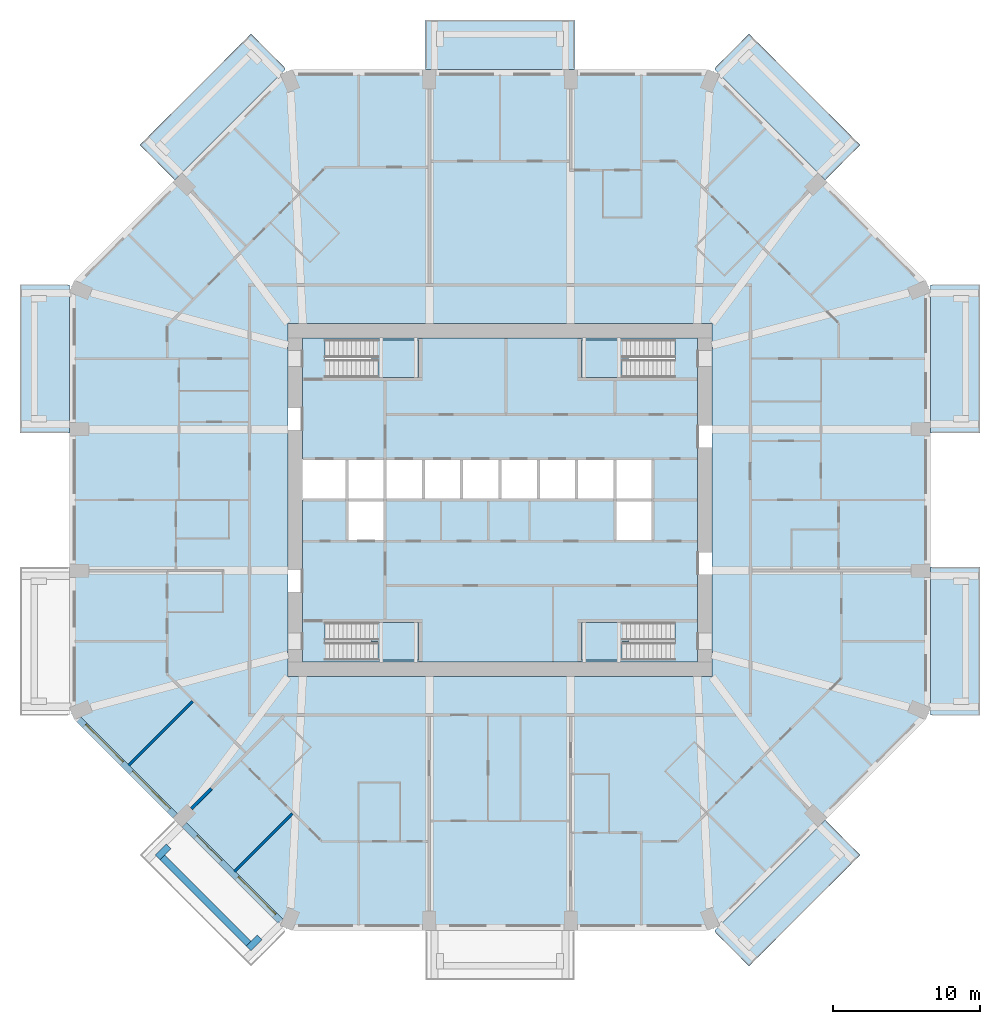
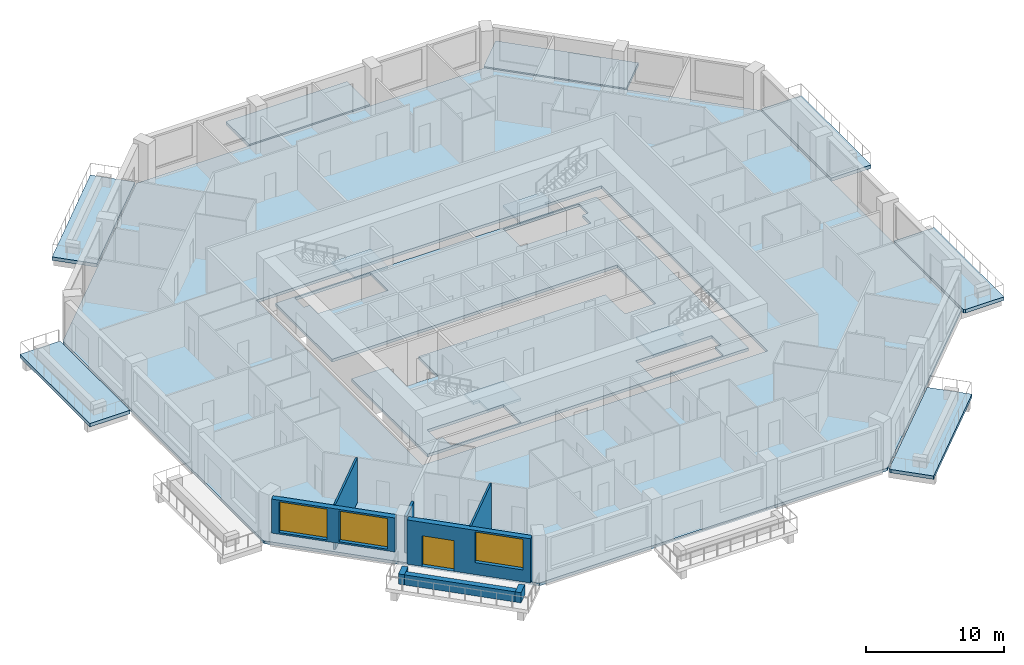
# One storey, part 2 of 13: 13 slabs, 8 walls, 3 windows, 1 door, 4 openings, 4 elements without a shape of their own.
"""IFC4 building model written with IfcOpenShell, lengths in metres."""

from ifc_helpers import new_model, si_unit, direction, frame, frame_2d, origin, place, context, subcontext, project, spatial, polyline, rectangle, outline, extrude, material, layer, layer_set, type_object, element, fill, aggregate, save


model = new_model("IFC4")

# Units and contexts
model_context = context("Model", 3, precision=1e-05, world=origin(), true_north=direction((0.0, 1.0)))
body_context = subcontext(model_context, "Body", "Model", "MODEL_VIEW")
ifc_project = project(units=[si_unit("LENGTHUNIT", "METRE"), si_unit("AREAUNIT", "SQUARE_METRE"), si_unit("VOLUMEUNIT", "CUBIC_METRE"), si_unit("PLANEANGLEUNIT", "RADIAN"), si_unit("MASSUNIT", "GRAM", prefix="KILO")], contexts=[model_context])

# Site, building, storey
site_placement = place(None, origin())
site = spatial("IfcSite", under=ifc_project, at=site_placement, CompositionType="ELEMENT")
building_placement = place(site_placement, origin())
building = spatial("IfcBuilding", under=site, at=building_placement, Name="Msitu Wima Residences", CompositionType="ELEMENT")
storey_placement = place(building_placement, frame((0.0, 0.0, 67.5)))
storey = spatial("IfcBuildingStorey", under=building, at=storey_placement, Name="L15", CompositionType="ELEMENT", Elevation=67.5)

# Slabs
ifc_material_1 = material(Name="Concrete C40/50", Category="concrete")
ifc_layer_1 = layer(ifc_material_1, 0.300048828125)
ifc_layer_set_1 = layer_set([ifc_layer_1], Name="Concrete C40/50")
slab_type_1 = type_object("IfcSlabType", Name="Balcony slab BS300", PredefinedType="FLOOR", material=ifc_layer_set_1)
slab_1_placement = place(storey_placement, frame((0.0, 0.0, -0.300048828125)))
element("IfcSlab", 1, at=slab_1_placement, inside=storey, type_object=slab_type_1, Name="Balcony E0 L15", PredefinedType="FLOOR", context=body_context, shape_type="SweptSolid", body=[
    extrude(outline(polyline([(29.25, -14.099365234375), (29.25, -14.099365234375), (29.25, -5.25), (29.25, -4.550048828125), (32.60009765625, -4.550048828125), (32.60009765625, -14.64990234375), (29.403564453125, -14.64990234375), (29.25, -14.58642578125), (29.25, -14.099365234375), (29.25, -14.099365234375)])), origin(), (0.0, 0.0, 1.0), 0.300048828125),
])
slab_2_placement = place(storey_placement, frame((0.0, 0.0, -0.300048828125)))
element("IfcSlab", 2, at=slab_2_placement, inside=storey, type_object=slab_type_1, Name="Balcony E2 L15", PredefinedType="FLOOR", context=body_context, shape_type="SweptSolid", body=[
    extrude(outline(polyline([(29.25, 14.099365234375), (29.25, 14.099365234375), (29.25, 14.099365234375), (29.25, 14.58642578125), (29.403564453125, 14.64990234375), (32.60009765625, 14.64990234375), (32.60009765625, 4.550048828125), (29.25, 4.550048828125), (29.25, 5.25), (29.25, 14.099365234375)])), origin(), (0.0, 0.0, 1.0), 0.300048828125),
])
slab_3_placement = place(storey_placement, frame((0.0, 0.0, -0.300048828125)))
element("IfcSlab", 3, at=slab_3_placement, inside=storey, type_object=slab_type_1, Name="Balcony NE1 L15", PredefinedType="FLOOR", context=body_context, shape_type="SweptSolid", body=[
    extrude(outline(polyline([(16.91015625, 31.663818359375), (24.4638671875, 24.1103515625), (22.094970703125, 21.741455078125), (14.58642578125, 29.25), (14.64990234375, 29.403564453125), (16.91015625, 31.663818359375)])), origin(), (0.0, 0.0, 1.0), 0.300048828125),
])
slab_4_placement = place(storey_placement, frame((0.0, 0.0, -0.300048828125)))
element("IfcSlab", 4, at=slab_4_placement, inside=storey, type_object=slab_type_1, Name="Balcony N1 L15", PredefinedType="FLOOR", context=body_context, shape_type="SweptSolid", body=[
    extrude(outline(polyline([(4.35009765625, 29.25), (-4.35009765625, 29.25), (-5.050048828125, 29.25), (-5.050048828125, 32.60009765625), (5.050048828125, 32.60009765625), (5.050048828125, 29.25), (4.35009765625, 29.25)])), origin(), (0.0, 0.0, 1.0), 0.300048828125),
])
slab_5_placement = place(storey_placement, frame((0.0, 0.0, -0.300048828125)))
element("IfcSlab", 5, at=slab_5_placement, inside=storey, type_object=slab_type_1, Name="Balcony NW0 L15", PredefinedType="FLOOR", context=body_context, shape_type="SweptSolid", body=[
    extrude(outline(polyline([(-24.4638671875, 24.1103515625), (-16.91015625, 31.663818359375), (-14.64990234375, 29.403564453125), (-14.58642578125, 29.25), (-22.094970703125, 21.741455078125), (-24.4638671875, 24.1103515625)])), origin(), (0.0, 0.0, 1.0), 0.300048828125),
])
slab_6_placement = place(storey_placement, frame((0.0, 0.0, -0.300048828125)))
element("IfcSlab", 6, at=slab_6_placement, inside=storey, type_object=slab_type_1, Name="Balcony W0 L15", PredefinedType="FLOOR", context=body_context, shape_type="SweptSolid", body=[
    extrude(outline(polyline([(-29.25, 14.099365234375), (-29.25, 14.099365234375), (-29.25, 5.25), (-29.25, 4.550048828125), (-32.60009765625, 4.550048828125), (-32.60009765625, 14.64990234375), (-29.403564453125, 14.64990234375), (-29.25, 14.58642578125), (-29.25, 14.099365234375), (-29.25, 14.099365234375)])), origin(), (0.0, 0.0, 1.0), 0.300048828125),
])
slab_7_placement = place(storey_placement, frame((0.0, 0.0, -0.300048828125)))
element("IfcSlab", 7, at=slab_7_placement, inside=storey, type_object=slab_type_1, Name="Balcony SE0 L15", PredefinedType="FLOOR", context=body_context, shape_type="SweptSolid", body=[
    extrude(outline(polyline([(24.4638671875, -24.1103515625), (16.91015625, -31.663818359375), (14.64990234375, -29.403564453125), (14.58642578125, -29.25), (22.094970703125, -21.741455078125), (24.4638671875, -24.1103515625)])), origin(), (0.0, 0.0, 1.0), 0.300048828125),
])
ifc_layer_2 = layer(ifc_material_1, 0.25)
ifc_layer_set_2 = layer_set([ifc_layer_2], Name="Concrete C40/50")
slab_type_2 = type_object("IfcSlabType", Name="Core floor CF250", PredefinedType="FLOOR", material=ifc_layer_set_2)
slab_8_placement = place(storey_placement, frame((0.0, 0.0, -0.25)))
element("IfcSlab", 8, at=slab_8_placement, inside=storey, type_object=slab_type_2, Name="Core floor", PredefinedType="FLOOR", context=body_context, shape_type="SweptSolid", body=[
    extrude(outline(polyline([(-13.39990234375, 11.0), (-13.39990234375, 2.800048828125), (-10.39990234375, 2.800048828125), (-7.800048828125, 2.800048828125), (-5.199951171875, 2.800048828125), (-2.60009765625, 2.800048828125), (0.0, 2.800048828125), (2.60009765625, 2.800048828125), (5.199951171875, 2.800048828125), (7.800048828125, 2.800048828125), (10.39990234375, 2.800048828125), (10.39990234375, 0.0), (10.39990234375, -2.800048828125), (7.800048828125, -2.800048828125), (7.800048828125, 0.0), (5.199951171875, 0.0), (2.60009765625, 0.0), (0.0, 0.0), (-2.60009765625, 0.0), (-5.199951171875, 0.0), (-7.800048828125, 0.0), (-7.800048828125, -2.800048828125), (-10.39990234375, -2.800048828125), (-10.39990234375, 0.0), (-13.39990234375, 0.0), (-13.39990234375, -11.0), (13.39990234375, -11.0), (13.39990234375, 11.0), (-13.39990234375, 11.0)]), holes=[polyline([(-11.375, -10.875), (-11.375, -9.675048828125), (-11.87451171875, -9.675048828125), (-11.87451171875, -8.324951171875), (-5.52490234375, -8.324951171875), (-5.52490234375, -10.875), (-11.375, -10.875)]), polyline([(-11.375, 9.52490234375), (-11.87451171875, 9.52490234375), (-11.87451171875, 10.875), (-5.52490234375, 10.875), (-5.52490234375, 8.324951171875), (-11.375, 8.324951171875), (-11.375, 9.52490234375)]), polyline([(11.375, -9.675048828125), (11.375, -10.875), (5.52490234375, -10.875), (5.52490234375, -8.324951171875), (11.87451171875, -8.324951171875), (11.87451171875, -9.675048828125), (11.375, -9.675048828125)]), polyline([(11.375, 9.52490234375), (11.375, 8.324951171875), (5.52490234375, 8.324951171875), (5.52490234375, 10.875), (11.87451171875, 10.875), (11.87451171875, 9.52490234375), (11.375, 9.52490234375)])]), origin(), (0.0, 0.0, 1.0), 0.25),
])
ifc_layer_3 = layer(ifc_material_1, 0.25)
ifc_layer_set_3 = layer_set([ifc_layer_3], Name="Concrete C40/50")
slab_type_3 = type_object("IfcSlabType", Name="PT flat slab 250 Concrete C40/50", PredefinedType="FLOOR", material=ifc_layer_set_3)
slab_9_placement = place(storey_placement, frame((0.0, 0.0, -0.25)))
element("IfcSlab", 9, at=slab_9_placement, inside=storey, type_object=slab_type_3, Name="Floor slab L15", PredefinedType="FLOOR", context=body_context, shape_type="SweptSolid", body=[
    extrude(outline(polyline([(29.10009765625, -14.524169921875), (14.524169921875, -29.10009765625), (-14.524169921875, -29.10009765625), (-29.10009765625, -14.524169921875), (-29.10009765625, 14.524169921875), (-14.524169921875, 29.10009765625), (14.524169921875, 29.10009765625), (29.10009765625, 14.524169921875), (29.10009765625, -14.524169921875)]), holes=[polyline([(-14.39990234375, -12.0), (14.39990234375, -12.0), (14.39990234375, 12.0), (-14.39990234375, 12.0), (-14.39990234375, -12.0)])]), origin(), (0.0, 0.0, 1.0), 0.25),
])

# Stair, slab
stair_type = type_object("IfcStairType", Name="Exit stair ES1615-120", PredefinedType="HALF_TURN_STAIR", material=ifc_material_1)
stair_1_placement = place(storey_placement, origin())
stair_1 = element("IfcStair", 10, at=stair_1_placement, inside=storey, type_object=stair_type, Name="Exit stair 1", PredefinedType="HALF_TURN_STAIR")
ifc_layer_4 = layer(ifc_material_1, 0.199951171875)
ifc_layer_set_4 = layer_set([ifc_layer_4], Name="Concrete C40/50")
slab_type_4 = type_object("IfcSlabType", Name="Stair landing SL200", PredefinedType="LANDING", material=ifc_layer_set_4)
slab_10_placement = place(storey_placement, frame((0.0, 0.0, 1.89990234375)))
slab_10 = element("IfcSlab", 11, at=slab_10_placement, type_object=slab_type_4, Name="S1 landing 1", PredefinedType="LANDING", context=body_context, shape_type="SweptSolid", body=[
    extrude(outline(polyline([(-5.52490234375, 8.324951171875), (-8.275390625, 8.324951171875), (-8.275390625, 9.60009765625), (-8.77490234375, 9.60009765625), (-8.77490234375, 10.875), (-5.52490234375, 10.875), (-5.52490234375, 8.324951171875)])), origin(), (0.0, 0.0, 1.0), 0.2001953125),
])
aggregate(stair_1, [slab_10])

stair_2_placement = place(storey_placement, origin())
stair_2 = element("IfcStair", 12, at=stair_2_placement, inside=storey, type_object=stair_type, Name="Exit stair 2", PredefinedType="HALF_TURN_STAIR")
slab_11_placement = place(storey_placement, frame((0.0, 0.0, 1.89990234375)))
slab_11 = element("IfcSlab", 13, at=slab_11_placement, type_object=slab_type_4, Name="S2 landing 1", PredefinedType="LANDING", context=body_context, shape_type="SweptSolid", body=[
    extrude(outline(polyline([(-5.52490234375, -10.875), (-8.275390625, -10.875), (-8.275390625, -9.60009765625), (-8.77490234375, -9.60009765625), (-8.77490234375, -8.324951171875), (-5.52490234375, -8.324951171875), (-5.52490234375, -10.875)])), origin(), (0.0, 0.0, 1.0), 0.2001953125),
])
aggregate(stair_2, [slab_11])

stair_3_placement = place(storey_placement, origin())
stair_3 = element("IfcStair", 14, at=stair_3_placement, inside=storey, type_object=stair_type, Name="Exit stair 3", PredefinedType="HALF_TURN_STAIR")
slab_12_placement = place(storey_placement, frame((0.0, 0.0, 1.89990234375)))
slab_12 = element("IfcSlab", 15, at=slab_12_placement, type_object=slab_type_4, Name="S3 landing 1", PredefinedType="LANDING", context=body_context, shape_type="SweptSolid", body=[
    extrude(outline(polyline([(5.52490234375, 8.324951171875), (8.275390625, 8.324951171875), (8.275390625, 9.60009765625), (8.77490234375, 9.60009765625), (8.77490234375, 10.875), (5.52490234375, 10.875), (5.52490234375, 8.324951171875)])), origin(), (0.0, 0.0, 1.0), 0.2001953125),
])
aggregate(stair_3, [slab_12])

stair_4_placement = place(storey_placement, origin())
stair_4 = element("IfcStair", 16, at=stair_4_placement, inside=storey, type_object=stair_type, Name="Exit stair 4", PredefinedType="HALF_TURN_STAIR")
slab_13_placement = place(storey_placement, frame((0.0, 0.0, 1.89990234375)))
slab_13 = element("IfcSlab", 17, at=slab_13_placement, type_object=slab_type_4, Name="S4 landing 1", PredefinedType="LANDING", context=body_context, shape_type="SweptSolid", body=[
    extrude(outline(polyline([(5.52490234375, -10.875), (8.275390625, -10.875), (8.275390625, -9.60009765625), (8.77490234375, -9.60009765625), (8.77490234375, -8.324951171875), (5.52490234375, -8.324951171875), (5.52490234375, -10.875)])), origin(), (0.0, 0.0, 1.0), 0.2001953125),
])
aggregate(stair_4, [slab_13])

# Walls
ifc_material_2 = material(Name="Facing brick")
ifc_layer_5 = layer(ifc_material_2, 0.06494140625, Name="Facing brick")
ifc_layer_6 = layer(ifc_material_1, 0.156005859375, Name="Concrete C40/50")
ifc_material_3 = material(Name="Waterproofing membrane")
ifc_layer_7 = layer(ifc_material_3, 0.00390625, Name="Waterproofing membrane")
ifc_material_4 = material(Name="Planting soil and planting")
ifc_layer_8 = layer(ifc_material_4, 0.22509765625, Name="Planting soil and planting")
ifc_layer_set_5 = layer_set([ifc_layer_5, ifc_layer_6, ifc_layer_7, ifc_layer_8], Name="Concrete C40/50")
wall_type_1 = type_object("IfcWallType", Name="Balcony planter PLANTER PL450", PredefinedType="USERDEFINED", material=ifc_layer_set_5)
wall_1_placement = place(storey_placement, frame((-22.92578125, -24.269287109375, 0.0), z_axis=(0.0, 0.0, 1.0), x_axis=(0.707106781187, -0.707106781187, 0.0)))
element("IfcWall", 18, at=wall_1_placement, inside=storey, type_object=wall_type_1, Name="Balcony planter SW1 L15", ObjectType="PLANTER", PredefinedType="USERDEFINED", context=body_context, shape_type="SweptSolid", body=[
    extrude(rectangle(XDim=8.2822265625, YDim=0.449951171875, at=frame_2d((4.14111328125, 0.0))), origin(), (0.0, 0.0, 1.0), 0.89990234375),
])
for number, where, z_axis, x_axis, name in (
    (19, (-22.50146484375, -23.52685546875, 0.0), (0.0, 0.0, 1.0), (-0.707223014731, -0.706990528533, 0.0), "Balcony planter SW1 L15"),
    (20, (-16.326904296875, -29.70166015625, 0.0), (0.0, 0.0, 1.0), (-0.707106781187, -0.707106781187, 0.0), "Balcony planter SW1 L15"),
):
    element("IfcWall", number, at=place(storey_placement, frame(where, z_axis=z_axis, x_axis=x_axis)), inside=storey, type_object=wall_type_1, Name=name, ObjectType="PLANTER", PredefinedType="USERDEFINED", context=body_context, shape_type="SweptSolid", body=[
        extrude(rectangle(XDim=1.050048828125, YDim=0.449951171875, at=frame_2d((0.52490234375, 0.0))), origin(), (0.0, 0.0, 1.0), 0.89990234375),
    ])

# Wall, openings, windows
ifc_material_5 = material(Name="Brick (red buff mix)", Category="masonry")
ifc_layer_9 = layer(ifc_material_5, 0.449951171875)
ifc_layer_set_6 = layer_set([ifc_layer_9], Name="Brick (red buff mix)")
wall_type_2 = type_object("IfcWallType", Name="Brick infill wall BW450", PredefinedType="SOLIDWALL", material=ifc_layer_set_6)
wall_2_placement = place(storey_placement, frame((-28.61474609375, -14.903564453125, 0.89990234375), z_axis=(0.0, 0.0, 1.0), x_axis=(0.707106781187, -0.707106781187, 0.0)))
wall_2 = element("IfcWall", 21, at=wall_2_placement, inside=storey, type_object=wall_type_2, Name="Brick infill wall L15 SW0", PredefinedType="SOLIDWALL", context=body_context, shape_type="SweptSolid", body=[
    extrude(rectangle(XDim=9.2451171875, YDim=0.449951171875, at=frame_2d((4.62255859375, 0.0))), origin(), (0.0, 0.0, 1.0), 3.0),
])
opening_1_placement = place(wall_2_placement, frame((0.572509765625, 0.0, 0.14990234375)))
opening_1 = element("IfcOpeningElement", 22, at=opening_1_placement, cuts=wall_2, Name="Opening W13-15.024", PredefinedType="OPENING", context=body_context, shape_type="SweptSolid", body=[
    extrude(rectangle(XDim=3.60009765625, YDim=2.699951171875, at=frame_2d((1.800048828125, 1.35009765625))), frame((0.0, 0.23486328125, 0.0), z_axis=(0.0, -1.0, 0.0), x_axis=(1.0, 0.0, 0.0)), (0.0, 0.0, 1.0), 0.469970703125),
])
opening_2_placement = place(wall_2_placement, frame((5.072509765625, 0.0, 0.14990234375)))
opening_2 = element("IfcOpeningElement", 23, at=opening_2_placement, cuts=wall_2, Name="Opening W13-15.025", PredefinedType="OPENING", context=body_context, shape_type="SweptSolid", body=[
    extrude(rectangle(XDim=3.60009765625, YDim=2.699951171875, at=frame_2d((1.800048828125, 1.35009765625))), frame((0.0, 0.23486328125, 0.0), z_axis=(0.0, -1.0, 0.0), x_axis=(1.0, 0.0, 0.0)), (0.0, 0.0, 1.0), 0.469970703125),
])
ifc_material_6 = material(Name="Anodised aluminium, bronze finish, clear low-emissivity double glazing", Category="aluminium")
window_type = type_object("IfcWindowType", Name="Window W3600x2700", PartitioningType="DOUBLE_PANEL_VERTICAL", PredefinedType="WINDOW", material=ifc_material_6)
window_1_placement = place(opening_1_placement, origin())
window_1 = element("IfcWindow", 24, at=window_1_placement, inside=storey, type_object=window_type, Name="Window L15 SW0.1", OverallHeight=2.699951171875, OverallWidth=3.60009765625, PartitioningType="SINGLE_PANEL", PredefinedType="WINDOW", context=body_context, shape_type="SweptSolid", body=[
    extrude(rectangle(XDim=3.60009765625, YDim=2.699951171875, at=frame_2d((1.800048828125, 1.35009765625))), frame((0.0, 0.135009765625, 0.0), z_axis=(0.0, -1.0, 0.0), x_axis=(1.0, 0.0, 0.0)), (0.0, 0.0, 1.0), 0.06005859375),
])
fill(opening_1, window_1)
window_2_placement = place(opening_2_placement, origin())
window_2 = element("IfcWindow", 25, at=window_2_placement, inside=storey, type_object=window_type, Name="Window L15 SW0.2", OverallHeight=2.699951171875, OverallWidth=3.60009765625, PartitioningType="SINGLE_PANEL", PredefinedType="WINDOW", context=body_context, shape_type="SweptSolid", body=[
    extrude(rectangle(XDim=3.60009765625, YDim=2.699951171875, at=frame_2d((1.800048828125, 1.35009765625))), frame((0.0, 0.135009765625, 0.0), z_axis=(0.0, -1.0, 0.0), x_axis=(1.0, 0.0, 0.0)), (0.0, 0.0, 1.0), 0.06005859375),
])
fill(opening_2, window_2)

# Wall, openings, door, window
wall_3_placement = place(storey_placement, frame((-21.44091796875, -22.077392578125, 0.0), z_axis=(0.0, 0.0, 1.0), x_axis=(0.707106781187, -0.707106781187, 0.0)))
wall_3 = element("IfcWall", 26, at=wall_3_placement, inside=storey, type_object=wall_type_2, Name="Brick infill wall L15 SW1", PredefinedType="SOLIDWALL", context=body_context, shape_type="SweptSolid", body=[
    extrude(rectangle(XDim=9.2451171875, YDim=0.449951171875, at=frame_2d((4.62255859375, 0.0))), origin(), (0.0, 0.0, 1.0), 3.89990234375),
])
opening_3_placement = place(wall_3_placement, frame((1.111328125, 0.0, 0.0)))
opening_3 = element("IfcOpeningElement", 27, at=opening_3_placement, cuts=wall_3, Name="Opening D13-15.008", PredefinedType="OPENING", context=body_context, shape_type="SweptSolid", body=[
    extrude(rectangle(XDim=2.39990234375, YDim=2.699951171875, at=frame_2d((1.199951171875, 1.35009765625))), frame((0.0, 0.23486328125, 0.0), z_axis=(0.0, -1.0, 0.0), x_axis=(1.0, 0.0, 0.0)), (0.0, 0.0, 1.0), 0.469970703125),
])
opening_4_placement = place(wall_3_placement, frame((5.072509765625, 0.0, 1.050048828125)))
opening_4 = element("IfcOpeningElement", 28, at=opening_4_placement, cuts=wall_3, Name="Opening W13-15.026", PredefinedType="OPENING", context=body_context, shape_type="SweptSolid", body=[
    extrude(rectangle(XDim=3.60009765625, YDim=2.699951171875, at=frame_2d((1.800048828125, 1.35009765625))), frame((0.0, 0.23486328125, 0.0), z_axis=(0.0, -1.0, 0.0), x_axis=(1.0, 0.0, 0.0)), (0.0, 0.0, 1.0), 0.469970703125),
])
door_type = type_object("IfcDoorType", Name="Balcony door D2400x2700", OperationType="SLIDING_TO_LEFT", PredefinedType="DOOR", material=ifc_material_6)
door_placement = place(opening_3_placement, origin())
door = element("IfcDoor", 29, at=door_placement, inside=storey, type_object=door_type, Name="Balcony door L15 SW1", OperationType="SINGLE_SWING_LEFT", OverallHeight=2.699951171875, OverallWidth=2.39990234375, PredefinedType="DOOR", context=body_context, shape_type="SweptSolid", body=[
    extrude(rectangle(XDim=2.39990234375, YDim=2.699951171875, at=frame_2d((1.199951171875, 1.35009765625))), frame((0.0, 0.1298828125, 0.0), z_axis=(0.0, -1.0, 0.0), x_axis=(1.0, 0.0, 0.0)), (0.0, 0.0, 1.0), 0.050048828125),
])
fill(opening_3, door)
window_3_placement = place(opening_4_placement, origin())
window_3 = element("IfcWindow", 30, at=window_3_placement, inside=storey, type_object=window_type, Name="Window L15 SW1.2", OverallHeight=2.699951171875, OverallWidth=3.60009765625, PartitioningType="SINGLE_PANEL", PredefinedType="WINDOW", context=body_context, shape_type="SweptSolid", body=[
    extrude(rectangle(XDim=3.60009765625, YDim=2.699951171875, at=frame_2d((1.800048828125, 1.35009765625))), frame((0.0, 0.135009765625, 0.0), z_axis=(0.0, -1.0, 0.0), x_axis=(1.0, 0.0, 0.0)), (0.0, 0.0, 1.0), 0.06005859375),
])
fill(opening_4, window_3)

# Walls
ifc_material_7 = material(Name="Plaster")
ifc_layer_10 = layer(ifc_material_7, 0.011962890625, Name="Plaster")
ifc_material_8 = material(Name="Concrete blockwork", Category="masonry")
ifc_layer_11 = layer(ifc_material_8, 0.1259765625, Name="Concrete blockwork")
ifc_layer_12 = layer(ifc_material_7, 0.011962890625, Name="Plaster")
ifc_layer_set_7 = layer_set([ifc_layer_10, ifc_layer_11, ifc_layer_12], Name="Concrete blockwork")
wall_type_3 = type_object("IfcWallType", Name="Partition PW150", PredefinedType="PARTITIONING", material=ifc_layer_set_7)
wall_4_placement = place(storey_placement, frame((-25.2177734375, -18.017578125, 0.0), z_axis=(0.0, 0.0, 1.0), x_axis=(0.707126629519, 0.707086932297, 0.0)))
element("IfcWall", 31, at=wall_4_placement, inside=storey, type_object=wall_type_3, Name="Partition", PredefinedType="PARTITIONING", context=body_context, shape_type="SweptSolid", body=[
    extrude(rectangle(XDim=6.150146484375, YDim=0.14990234375, at=frame_2d((3.0751953125, 0.0))), origin(), (0.0, 0.0, 1.0), 3.949951171875),
])
wall_5_placement = place(storey_placement, frame((-18.038818359375, -25.23876953125, 0.0), z_axis=(0.0, 0.0, 1.0), x_axis=(0.707106781187, 0.707106781187, 0.0)))
element("IfcWall", 32, at=wall_5_placement, inside=storey, type_object=wall_type_3, Name="Partition", PredefinedType="PARTITIONING", context=body_context, shape_type="SweptSolid", body=[
    extrude(rectangle(XDim=5.579833984375, YDim=0.14990234375, at=frame_2d((2.7900390625, 0.0))), origin(), (0.0, 0.0, 1.0), 3.949951171875),
])
ifc_layer_13 = layer(ifc_material_7, 0.011962890625, Name="Plaster")
ifc_material_9 = material(Name="Dense concrete blockwork", Category="masonry")
ifc_layer_14 = layer(ifc_material_9, 0.176025390625, Name="Dense concrete blockwork")
ifc_layer_15 = layer(ifc_material_7, 0.011962890625, Name="Plaster")
ifc_layer_set_8 = layer_set([ifc_layer_13, ifc_layer_14, ifc_layer_15], Name="Dense concrete blockwork")
wall_type_4 = type_object("IfcWallType", Name="Party wall PW200", PredefinedType="PARTITIONING", material=ifc_layer_set_8)
wall_6_placement = place(storey_placement, frame((-20.963623046875, -20.963623046875, 0.0), z_axis=(0.0, 0.0, 1.0), x_axis=(0.707106781187, 0.707106781187, 0.0)))
element("IfcWall", 33, at=wall_6_placement, inside=storey, type_object=wall_type_4, Name="Party wall", PredefinedType="PARTITIONING", context=body_context, shape_type="SweptSolid", body=[
    extrude(rectangle(XDim=1.92041015625, YDim=0.199951171875, at=frame_2d((0.960205078125, 0.0))), origin(), (0.0, 0.0, 1.0), 3.25),
])

save(model, "model.ifc")
